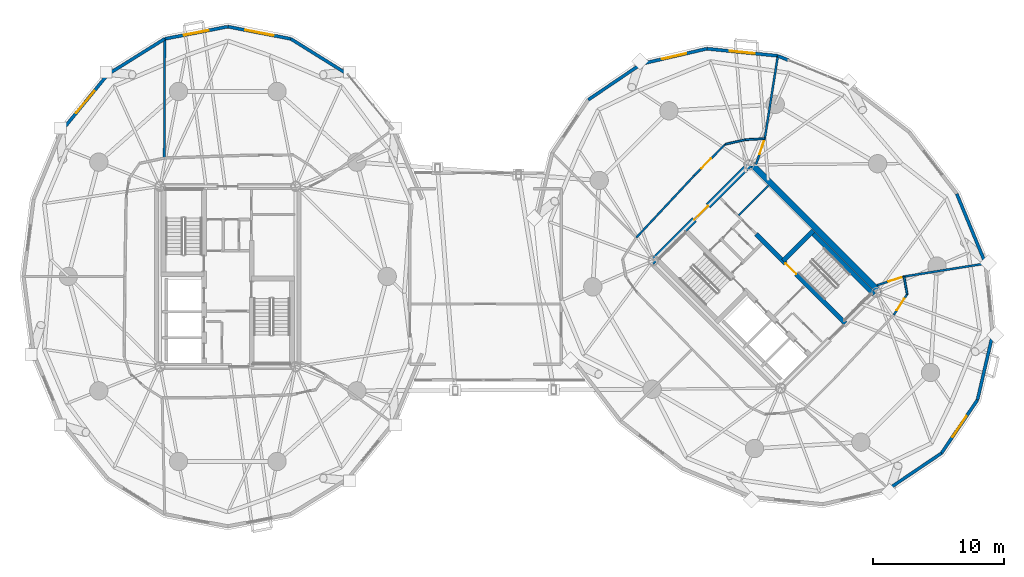
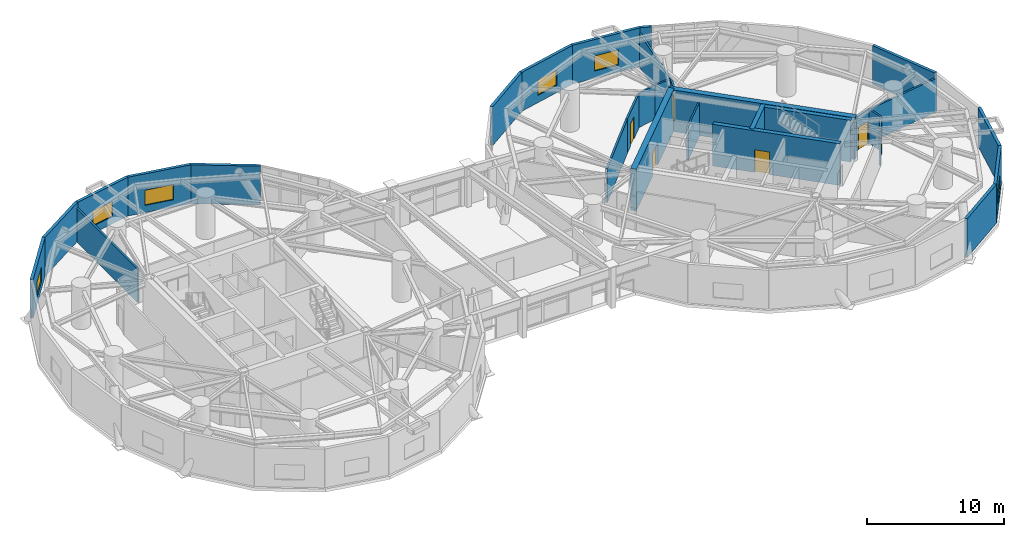
# One storey, part 17 of 20: 30 walls, 6 doors, 6 windows, 12 openings.
"""IFC4 building model written with IfcOpenShell, lengths in metres."""

from ifc_helpers import new_model, si_unit, direction, frame, frame_2d, origin, place, context, subcontext, project, spatial, rectangle, extrude, source, transform, mapped, material, layer, layer_set, type_object, element, fill, save


model = new_model("IFC4")

# Units and contexts
model_context = context("Model", 3, precision=1e-05, world=origin(), true_north=direction((0.0, 1.0)))
body_context = subcontext(model_context, "Body", "Model", "MODEL_VIEW")
ifc_project = project(units=[si_unit("LENGTHUNIT", "METRE"), si_unit("AREAUNIT", "SQUARE_METRE"), si_unit("VOLUMEUNIT", "CUBIC_METRE"), si_unit("PLANEANGLEUNIT", "RADIAN"), si_unit("MASSUNIT", "GRAM", prefix="KILO")], contexts=[model_context])

# Site, building, storey
site_placement = place(None, origin())
site = spatial("IfcSite", under=ifc_project, at=site_placement, CompositionType="ELEMENT")
building_placement = place(site_placement, origin())
building = spatial("IfcBuilding", under=site, at=building_placement, Name="Cununo Teusaquillo Station Towers", CompositionType="ELEMENT")
storey_placement = place(building_placement, frame((0.0, 0.0, 140.320068359375)))
storey = spatial("IfcBuildingStorey", under=building, at=storey_placement, Name="L44", CompositionType="ELEMENT", Elevation=140.320068359375)

# Wall, opening, door
ifc_material_1 = material(Name="Concrete C50/60", Category="concrete")
ifc_layer_1 = layer(ifc_material_1, 0.35009765625)
ifc_layer_set_1 = layer_set([ifc_layer_1], Name="Concrete C50/60")
wall_type_1 = type_object("IfcWallType", Name="WL-CORE-350", PredefinedType="SHEAR", material=ifc_layer_set_1)
wall_1_placement = place(storey_placement, frame((63.644775390625, 20.922119140625, 0.0), z_axis=(0.0, 0.0, 1.0), x_axis=(-0.70711946392, 0.707094098226, 0.0)))
wall_1 = element("IfcWall", 1, at=wall_1_placement, inside=storey, type_object=wall_type_1, Name="L44 Tower B Core Shear Wall IE", PredefinedType="SHEAR", context=body_context, shape_type="SweptSolid", body=[
    extrude(rectangle(XDim=9.624755859375, YDim=0.35009765625, at=frame_2d((4.8125, 0.0))), origin(), (0.0, 0.0, 1.0), 3.719970703125),
])
shared_shape_1 = source(origin(), body_context, "Body", "SweptSolid", [
    extrude(rectangle(XDim=1.14990234375, YDim=2.02001953125, at=frame_2d((0.574951171875, 1.010009765625))), frame((0.0, 0.18505859375, 0.0), z_axis=(0.0, -1.0, 0.0), x_axis=(1.0, 0.0, 0.0)), (0.0, 0.0, 1.0), 0.3701171875),
])
opening_1_placement = place(wall_1_placement, frame((5.304931640625, 0.0, 0.0)))
opening_1 = element("IfcOpeningElement", 2, at=opening_1_placement, cuts=wall_1, Name="Opening D-ST1", PredefinedType="OPENING", context=body_context, shape_type="MappedRepresentation", body=[
    mapped(shared_shape_1, transform((0.0, 0.0, 0.0), x_axis=(1.0, 0.0, 0.0), y_axis=(0.0, 1.0, 0.0), z_axis=(0.0, 0.0, 1.0), scale=1.0)),
])
ifc_material_2 = material(Name="Galvanised fire-rated hollow steel door assembly", Category="steel")
door_type_1 = type_object("IfcDoorType", Name="DR-STAIR-1150", OperationType="NOTDEFINED", PredefinedType="DOOR", material=ifc_material_2)
shared_shape_2 = source(origin(), body_context, "Body", "SweptSolid", [
    extrude(rectangle(XDim=1.14990234375, YDim=2.02001953125, at=frame_2d((0.574951171875, 1.010009765625))), frame((0.0, 0.02490234375, 0.0), z_axis=(0.0, -1.0, 0.0), x_axis=(1.0, 0.0, 0.0)), (0.0, 0.0, 1.0), 0.050048828125),
])
door_1_placement = place(opening_1_placement, origin())
door_1 = element("IfcDoor", 3, at=door_1_placement, inside=storey, type_object=door_type_1, Name="L44 Tower B Exit Stair 2 Fire Door", OperationType="SINGLE_SWING_RIGHT", OverallHeight=2.02001953125, OverallWidth=1.14990234375, PredefinedType="DOOR", context=body_context, shape_type="MappedRepresentation", body=[
    mapped(shared_shape_2, transform((0.0, 0.0, 0.0), x_axis=(1.0, 0.0, 0.0), y_axis=(0.0, 1.0, 0.0), z_axis=(0.0, 0.0, 1.0), scale=1.0)),
])
fill(opening_1, door_1)

# Walls
wall_2_placement = place(storey_placement, frame((65.82958984375, 23.10693359375, 0.0), z_axis=(0.0, 0.0, 1.0), x_axis=(-0.707088616009, 0.707124945897, 0.0)))
element("IfcWall", 4, at=wall_2_placement, inside=storey, type_object=wall_type_1, Name="L44 Tower B Core Shear Wall ST2E", PredefinedType="SHEAR", context=body_context, shape_type="SweptSolid", body=[
    extrude(rectangle(XDim=6.72021484375, YDim=0.35009765625, at=frame_2d((3.360107421875, 0.0))), origin(), (0.0, 0.0, 1.0), 3.719970703125),
])
wall_3_placement = place(storey_placement, frame((58.89306640625, 25.673828125, 0.0), z_axis=(0.0, 0.0, 1.0), x_axis=(0.707106781187, 0.707106781187, 0.0)))
element("IfcWall", 5, at=wall_3_placement, inside=storey, type_object=wall_type_1, Name="L44 Tower B Core Shear Wall ST2N", PredefinedType="SHEAR", context=body_context, shape_type="SweptSolid", body=[
    extrude(rectangle(XDim=3.284912109375, YDim=0.35009765625, at=frame_2d((1.642578125, 0.0))), origin(), (0.0, 0.0, 1.0), 3.719970703125),
])
ifc_material_3 = material(Name="Concrete C60/75", Category="concrete")
ifc_layer_2 = layer(ifc_material_3, 0.449951171875)
ifc_layer_set_2 = layer_set([ifc_layer_2], Name="Concrete C60/75")
wall_type_2 = type_object("IfcWallType", Name="WL-CORE-450", PredefinedType="SHEAR", material=ifc_layer_set_2)
wall_4_placement = place(storey_placement, frame((66.303466796875, 23.2626953125, 0.0), z_axis=(0.0, 0.0, 1.0), x_axis=(-0.707106781187, 0.707106781187, 0.0)))
element("IfcWall", 6, at=wall_4_placement, inside=storey, type_object=wall_type_2, Name="L44 Tower B Core Shear Wall E", PredefinedType="SHEAR", context=body_context, shape_type="SweptSolid", body=[
    extrude(rectangle(XDim=14.19970703125, YDim=0.449951171875, at=frame_2d((7.099853515625, 0.0))), origin(), (0.0, 0.0, 1.0), 3.719970703125),
])

# Wall, opening, door
wall_5_placement = place(storey_placement, frame((48.855712890625, 25.578369140625, 0.0), z_axis=(0.0, 0.0, 1.0), x_axis=(0.707106781187, 0.707106781187, 0.0)))
wall_5 = element("IfcWall", 7, at=wall_5_placement, inside=storey, type_object=wall_type_2, Name="L44 Tower B Core Shear Wall N", PredefinedType="SHEAR", context=body_context, shape_type="SweptSolid", body=[
    extrude(rectangle(XDim=10.69970703125, YDim=0.449951171875, at=frame_2d((5.349853515625, 0.0))), origin(), (0.0, 0.0, 1.0), 3.719970703125),
])
shared_shape_3 = source(origin(), body_context, "Body", "SweptSolid", [
    extrude(rectangle(XDim=1.5, YDim=2.02001953125, at=frame_2d((0.75, 1.010009765625))), frame((0.0, 0.23486328125, 0.0), z_axis=(0.0, -1.0, 0.0), x_axis=(1.0, 0.0, 0.0)), (0.0, 0.0, 1.0), 0.469970703125),
])
opening_2_placement = place(wall_5_placement, frame((4.60009765625, 0.0, 0.0)))
opening_2 = element("IfcOpeningElement", 8, at=opening_2_placement, cuts=wall_5, Name="Opening D-LB1", PredefinedType="OPENING", context=body_context, shape_type="MappedRepresentation", body=[
    mapped(shared_shape_3, transform((0.0, 0.0, 0.0), x_axis=(1.0, 0.0, 0.0), y_axis=(0.0, 1.0, 0.0), z_axis=(0.0, 0.0, 1.0), scale=1.0)),
])
ifc_material_4 = material(Name="Galvanised fire-rated hollow steel door assembly", Category="steel")
door_type_2 = type_object("IfcDoorType", Name="DR-LOBBY-1500", OperationType="DOUBLE_DOOR_SINGLE_SWING", PredefinedType="DOOR", material=ifc_material_4)
shared_shape_4 = source(origin(), body_context, "Body", "SweptSolid", [
    extrude(rectangle(XDim=1.5, YDim=2.02001953125, at=frame_2d((0.75, 1.010009765625))), frame((0.0, 0.02490234375, 0.0), z_axis=(0.0, -1.0, 0.0), x_axis=(1.0, 0.0, 0.0)), (0.0, 0.0, 1.0), 0.050048828125),
])
door_2_placement = place(opening_2_placement, origin())
door_2 = element("IfcDoor", 9, at=door_2_placement, inside=storey, type_object=door_type_2, Name="L44 Tower B North Core Lift Lobby Door", OperationType="DOUBLE_DOOR_SINGLE_SWING", OverallHeight=2.02001953125, OverallWidth=1.5, PredefinedType="DOOR", context=body_context, shape_type="MappedRepresentation", body=[
    mapped(shared_shape_4, transform((0.0, 0.0, 0.0), x_axis=(1.0, 0.0, 0.0), y_axis=(0.0, 1.0, 0.0), z_axis=(0.0, 0.0, 1.0), scale=1.0)),
])
fill(opening_2, door_2)

# Wall
ifc_material_5 = material(Name="Precast concrete C40/50", Category="concrete")
ifc_layer_3 = layer(ifc_material_5, 0.239990234375)
ifc_layer_set_3 = layer_set([ifc_layer_3], Name="Precast concrete C40/50")
wall_type_3 = type_object("IfcWallType", Name="WL-EXT-240", PredefinedType="SOLIDWALL", material=ifc_layer_set_3)
wall_6_placement = place(storey_placement, frame((21.314697265625, 42.63671875, 0.0), z_axis=(0.0, 0.0, 1.0), x_axis=(0.848520380187, -0.529162701263, 0.0)))
element("IfcWall", 10, at=wall_6_placement, inside=storey, type_object=wall_type_3, Name="L44 Tower A Exterior Facade Wall C03", PredefinedType="SOLIDWALL", context=body_context, shape_type="SweptSolid", body=[
    extrude(rectangle(XDim=5.118896484375, YDim=0.239990234375, at=frame_2d((2.5595703125, 0.0))), origin(), (0.0, 0.0, 1.0), 3.46484375),
])

# Wall, opening, window
wall_7_placement = place(storey_placement, frame((16.5, 43.570068359375, 0.0), z_axis=(0.0, 0.0, 1.0), x_axis=(0.981723785992, -0.190311344954, 0.0)))
wall_7 = element("IfcWall", 11, at=wall_7_placement, inside=storey, type_object=wall_type_3, Name="L44 Tower A Exterior Facade Wall C04", PredefinedType="SOLIDWALL", context=body_context, shape_type="SweptSolid", body=[
    extrude(rectangle(XDim=4.904296875, YDim=0.239990234375, at=frame_2d((2.4521484375, 0.0))), origin(), (0.0, 0.0, 1.0), 3.46484375),
])
shared_shape_5 = source(origin(), body_context, "Body", "SweptSolid", [
    extrude(rectangle(XDim=2.199951171875, YDim=1.35009765625, at=frame_2d((1.10009765625, 0.675048828125))), frame((0.0, 0.1298828125, 0.0), z_axis=(0.0, -1.0, 0.0), x_axis=(1.0, 0.0, 0.0)), (0.0, 0.0, 1.0), 0.260009765625),
])
opening_3_placement = place(wall_7_placement, frame((1.35205078125, 0.0, 0.64990234375)))
opening_3 = element("IfcOpeningElement", 12, at=opening_3_placement, cuts=wall_7, Name="Opening WN-01", PredefinedType="OPENING", context=body_context, shape_type="MappedRepresentation", body=[
    mapped(shared_shape_5, transform((0.0, 0.0, 0.0), x_axis=(1.0, 0.0, 0.0), y_axis=(0.0, 1.0, 0.0), z_axis=(0.0, 0.0, 1.0), scale=1.0)),
])
ifc_material_6 = material(Name="Ceramic-fritted dark low-E double glazing", Category="glass")
window_type_1 = type_object("IfcWindowType", Name="WIN-FRIT-2200", PartitioningType="DOUBLE_PANEL_VERTICAL", PredefinedType="WINDOW", material=ifc_material_6)
shared_shape_6 = source(origin(), body_context, "Body", "SweptSolid", [
    extrude(rectangle(XDim=2.199951171875, YDim=1.35009765625, at=frame_2d((1.10009765625, 0.675048828125))), frame((0.0, 0.030029296875, 0.0), z_axis=(0.0, -1.0, 0.0), x_axis=(1.0, 0.0, 0.0)), (0.0, 0.0, 1.0), 0.06005859375),
])
window_1_placement = place(opening_3_placement, origin())
window_1 = element("IfcWindow", 13, at=window_1_placement, inside=storey, type_object=window_type_1, Name="L44 Tower A Facade Window C04", OverallHeight=1.35009765625, OverallWidth=2.199951171875, PartitioningType="DOUBLE_PANEL_VERTICAL", PredefinedType="WINDOW", context=body_context, shape_type="MappedRepresentation", body=[
    mapped(shared_shape_6, transform((0.0, 0.0, 0.0), x_axis=(1.0, 0.0, 0.0), y_axis=(0.0, 1.0, 0.0), z_axis=(0.0, 0.0, 1.0), scale=1.0)),
])
fill(opening_3, window_1)

wall_8_placement = place(storey_placement, frame((11.685302734375, 42.63671875, 0.0), z_axis=(0.0, 0.0, 1.0), x_axis=(0.981723785992, 0.190311344954, 0.0)))
wall_8 = element("IfcWall", 14, at=wall_8_placement, inside=storey, type_object=wall_type_3, Name="L44 Tower A Exterior Facade Wall C05", PredefinedType="SOLIDWALL", context=body_context, shape_type="SweptSolid", body=[
    extrude(rectangle(XDim=4.904296875, YDim=0.239990234375, at=frame_2d((2.4521484375, 0.0))), origin(), (0.0, 0.0, 1.0), 3.46484375),
])
shared_shape_7 = source(origin(), body_context, "Body", "SweptSolid", [
    extrude(rectangle(XDim=1.89990234375, YDim=1.35009765625, at=frame_2d((0.949951171875, 0.675048828125))), frame((0.0, 0.1298828125, 0.0), z_axis=(0.0, -1.0, 0.0), x_axis=(1.0, 0.0, 0.0)), (0.0, 0.0, 1.0), 0.260009765625),
])
opening_4_placement = place(wall_8_placement, frame((1.501953125, 0.0, 0.64990234375)))
opening_4 = element("IfcOpeningElement", 15, at=opening_4_placement, cuts=wall_8, Name="Opening WN-02", PredefinedType="OPENING", context=body_context, shape_type="MappedRepresentation", body=[
    mapped(shared_shape_7, transform((0.0, 0.0, 0.0), x_axis=(1.0, 0.0, 0.0), y_axis=(0.0, 1.0, 0.0), z_axis=(0.0, 0.0, 1.0), scale=1.0)),
])
ifc_material_7 = material(Name="Operable acoustic tinted low-E double glazing", Category="glass")
window_type_2 = type_object("IfcWindowType", Name="WIN-OPER-1900", PartitioningType="DOUBLE_PANEL_VERTICAL", PredefinedType="WINDOW", material=ifc_material_7)
shared_shape_8 = source(origin(), body_context, "Body", "SweptSolid", [
    extrude(rectangle(XDim=1.89990234375, YDim=1.35009765625, at=frame_2d((0.949951171875, 0.675048828125))), frame((0.0, 0.030029296875, 0.0), z_axis=(0.0, -1.0, 0.0), x_axis=(1.0, 0.0, 0.0)), (0.0, 0.0, 1.0), 0.06005859375),
])
window_2_placement = place(opening_4_placement, origin())
window_2 = element("IfcWindow", 16, at=window_2_placement, inside=storey, type_object=window_type_2, Name="L44 Tower A Facade Window C05", OverallHeight=1.35009765625, OverallWidth=1.89990234375, PartitioningType="DOUBLE_PANEL_VERTICAL", PredefinedType="WINDOW", context=body_context, shape_type="MappedRepresentation", body=[
    mapped(shared_shape_8, transform((0.0, 0.0, 0.0), x_axis=(1.0, 0.0, 0.0), y_axis=(0.0, 1.0, 0.0), z_axis=(0.0, 0.0, 1.0), scale=1.0)),
])
fill(opening_4, window_2)

# Wall
wall_9_placement = place(storey_placement, frame((7.341796875, 39.927978515625, 0.0), z_axis=(0.0, 0.0, 1.0), x_axis=(0.848520380187, 0.529162701263, 0.0)))
element("IfcWall", 17, at=wall_9_placement, inside=storey, type_object=wall_type_3, Name="L44 Tower A Exterior Facade Wall C06", PredefinedType="SOLIDWALL", context=body_context, shape_type="SweptSolid", body=[
    extrude(rectangle(XDim=5.118896484375, YDim=0.239990234375, at=frame_2d((2.5595703125, 0.0))), origin(), (0.0, 0.0, 1.0), 3.46484375),
])

# Wall, opening, window
wall_10_placement = place(storey_placement, frame((3.894775390625, 35.708984375, 0.0), z_axis=(0.0, 0.0, 1.0), x_axis=(0.632700781152, 0.77439635945, 0.0)))
wall_10 = element("IfcWall", 18, at=wall_10_placement, inside=storey, type_object=wall_type_3, Name="L44 Tower A Exterior Facade Wall C07", PredefinedType="SOLIDWALL", context=body_context, shape_type="SweptSolid", body=[
    extrude(rectangle(XDim=5.447998046875, YDim=0.239990234375, at=frame_2d((2.72412109375, 0.0))), origin(), (0.0, 0.0, 1.0), 3.46484375),
])
opening_5_placement = place(wall_10_placement, frame((1.6240234375, 0.0, 0.64990234375)))
opening_5 = element("IfcOpeningElement", 19, at=opening_5_placement, cuts=wall_10, Name="Opening WN-01", PredefinedType="OPENING", context=body_context, shape_type="MappedRepresentation", body=[
    mapped(shared_shape_5, transform((0.0, 0.0, 0.0), x_axis=(1.0, 0.0, 0.0), y_axis=(0.0, 1.0, 0.0), z_axis=(0.0, 0.0, 1.0), scale=1.0)),
])
window_3_placement = place(opening_5_placement, origin())
window_3 = element("IfcWindow", 20, at=window_3_placement, inside=storey, type_object=window_type_1, Name="L44 Tower A Facade Window C07", OverallHeight=1.35009765625, OverallWidth=2.199951171875, PartitioningType="DOUBLE_PANEL_VERTICAL", PredefinedType="WINDOW", context=body_context, shape_type="MappedRepresentation", body=[
    mapped(shared_shape_6, transform((0.0, 0.0, 0.0), x_axis=(1.0, 0.0, 0.0), y_axis=(0.0, 1.0, 0.0), z_axis=(0.0, 0.0, 1.0), scale=1.0)),
])
fill(opening_5, window_3)

# Wall
wall_11_placement = place(storey_placement, frame((58.4873046875, 41.33935546875, 0.0), z_axis=(0.0, 0.0, 1.0), x_axis=(0.924556017656, -0.381046152345, 0.0)))
element("IfcWall", 21, at=wall_11_placement, inside=storey, type_object=wall_type_3, Name="L44 Tower B Column Pier Cladding Wall C01-PA", PredefinedType="SOLIDWALL", context=body_context, shape_type="SweptSolid", body=[
    extrude(rectangle(XDim=0.8701171875, YDim=0.239990234375, at=frame_2d((0.43505859375, 0.0))), origin(), (0.0, 0.0, 1.0), 3.46484375),
])

# Wall, opening, window
wall_12_placement = place(storey_placement, frame((53.066650390625, 41.885009765625, 0.0), z_axis=(0.0, 0.0, 1.0), x_axis=(0.994971754311, -0.10015591906, 0.0)))
wall_12 = element("IfcWall", 22, at=wall_12_placement, inside=storey, type_object=wall_type_3, Name="L44 Tower B Exterior Facade Wall C02", PredefinedType="SOLIDWALL", context=body_context, shape_type="SweptSolid", body=[
    extrude(rectangle(XDim=5.447998046875, YDim=0.239990234375, at=frame_2d((2.72412109375, 0.0))), origin(), (0.0, 0.0, 1.0), 3.46484375),
])
opening_6_placement = place(wall_12_placement, frame((1.77392578125, 0.0, 0.64990234375)))
opening_6 = element("IfcOpeningElement", 23, at=opening_6_placement, cuts=wall_12, Name="Opening WN-02", PredefinedType="OPENING", context=body_context, shape_type="MappedRepresentation", body=[
    mapped(shared_shape_7, transform((0.0, 0.0, 0.0), x_axis=(1.0, 0.0, 0.0), y_axis=(0.0, 1.0, 0.0), z_axis=(0.0, 0.0, 1.0), scale=1.0)),
])
window_4_placement = place(opening_6_placement, origin())
window_4 = element("IfcWindow", 24, at=window_4_placement, inside=storey, type_object=window_type_2, Name="L44 Tower B Facade Window C02", OverallHeight=1.35009765625, OverallWidth=1.89990234375, PartitioningType="DOUBLE_PANEL_VERTICAL", PredefinedType="WINDOW", context=body_context, shape_type="MappedRepresentation", body=[
    mapped(shared_shape_8, transform((0.0, 0.0, 0.0), x_axis=(1.0, 0.0, 0.0), y_axis=(0.0, 1.0, 0.0), z_axis=(0.0, 0.0, 1.0), scale=1.0)),
])
fill(opening_6, window_4)

wall_13_placement = place(storey_placement, frame((48.080078125, 40.72900390625, 0.0), z_axis=(0.0, 0.0, 1.0), x_axis=(0.974165631126, 0.225834725257, 0.0)))
wall_13 = element("IfcWall", 25, at=wall_13_placement, inside=storey, type_object=wall_type_3, Name="L44 Tower B Exterior Facade Wall C03", PredefinedType="SOLIDWALL", context=body_context, shape_type="SweptSolid", body=[
    extrude(rectangle(XDim=5.118896484375, YDim=0.239990234375, at=frame_2d((2.5595703125, 0.0))), origin(), (0.0, 0.0, 1.0), 3.46484375),
])
opening_7_placement = place(wall_13_placement, frame((1.60888671875, 0.0, 0.64990234375)))
opening_7 = element("IfcOpeningElement", 26, at=opening_7_placement, cuts=wall_13, Name="Opening WN-02", PredefinedType="OPENING", context=body_context, shape_type="MappedRepresentation", body=[
    mapped(shared_shape_7, transform((0.0, 0.0, 0.0), x_axis=(1.0, 0.0, 0.0), y_axis=(0.0, 1.0, 0.0), z_axis=(0.0, 0.0, 1.0), scale=1.0)),
])
window_5_placement = place(opening_7_placement, origin())
window_5 = element("IfcWindow", 27, at=window_5_placement, inside=storey, type_object=window_type_2, Name="L44 Tower B Facade Window C03", OverallHeight=1.35009765625, OverallWidth=1.89990234375, PartitioningType="DOUBLE_PANEL_VERTICAL", PredefinedType="WINDOW", context=body_context, shape_type="MappedRepresentation", body=[
    mapped(shared_shape_8, transform((0.0, 0.0, 0.0), x_axis=(1.0, 0.0, 0.0), y_axis=(0.0, 1.0, 0.0), z_axis=(0.0, 0.0, 1.0), scale=1.0)),
])
fill(opening_7, window_5)

# Walls
for number, where, z_axis, x_axis, name in (
    (28, (44.015380859375, 37.984619140625, 0.0), (0.0, 0.0, 1.0), (0.828781148131, 0.559572880421, 0.0), "L44 Tower B Exterior Facade Wall C04"),
    (29, (70.984619140625, 11.015380859375, 0.0), (0.0, 0.0, 1.0), (-0.828781148131, -0.559572880421, 0.0), "L44 Tower B Exterior Facade Wall C14"),
):
    element("IfcWall", number, at=place(storey_placement, frame(where, z_axis=z_axis, x_axis=x_axis)), inside=storey, type_object=wall_type_3, Name=name, PredefinedType="SOLIDWALL", context=body_context, shape_type="SweptSolid", body=[
        extrude(rectangle(XDim=4.904541015625, YDim=0.239990234375, at=frame_2d((2.4521484375, 0.0))), origin(), (0.0, 0.0, 1.0), 3.46484375),
    ])

# Wall, opening, window
wall_14_placement = place(storey_placement, frame((73.72900390625, 15.080078125, 0.0), z_axis=(0.0, 0.0, 1.0), x_axis=(-0.559572880421, -0.828781148131, 0.0)))
wall_14 = element("IfcWall", 30, at=wall_14_placement, inside=storey, type_object=wall_type_3, Name="L44 Tower B Exterior Facade Wall C15", PredefinedType="SOLIDWALL", context=body_context, shape_type="SweptSolid", body=[
    extrude(rectangle(XDim=4.904541015625, YDim=0.239990234375, at=frame_2d((2.4521484375, 0.0))), origin(), (0.0, 0.0, 1.0), 3.46484375),
])
opening_8_placement = place(wall_14_placement, frame((1.501953125, 0.0, 0.64990234375)))
opening_8 = element("IfcOpeningElement", 31, at=opening_8_placement, cuts=wall_14, Name="Opening WN-02", PredefinedType="OPENING", context=body_context, shape_type="MappedRepresentation", body=[
    mapped(shared_shape_7, transform((0.0, 0.0, 0.0), x_axis=(1.0, 0.0, 0.0), y_axis=(0.0, 1.0, 0.0), z_axis=(0.0, 0.0, 1.0), scale=1.0)),
])
window_6_placement = place(opening_8_placement, origin())
window_6 = element("IfcWindow", 32, at=window_6_placement, inside=storey, type_object=window_type_2, Name="L44 Tower B Facade Window C15", OverallHeight=1.35009765625, OverallWidth=1.89990234375, PartitioningType="DOUBLE_PANEL_VERTICAL", PredefinedType="WINDOW", context=body_context, shape_type="MappedRepresentation", body=[
    mapped(shared_shape_8, transform((0.0, 0.0, 0.0), x_axis=(1.0, 0.0, 0.0), y_axis=(0.0, 1.0, 0.0), z_axis=(0.0, 0.0, 1.0), scale=1.0)),
])
fill(opening_8, window_6)

# Walls
wall_15_placement = place(storey_placement, frame((74.885009765625, 20.066650390625, 0.0), z_axis=(0.0, 0.0, 1.0), x_axis=(-0.225834725257, -0.974165631126, 0.0)))
element("IfcWall", 33, at=wall_15_placement, inside=storey, type_object=wall_type_3, Name="L44 Tower B Exterior Facade Wall C16", PredefinedType="SOLIDWALL", context=body_context, shape_type="SweptSolid", body=[
    extrude(rectangle(XDim=5.118896484375, YDim=0.239990234375, at=frame_2d((2.5595703125, 0.0))), origin(), (0.0, 0.0, 1.0), 3.46484375),
])
wall_16_placement = place(storey_placement, frame((72.145263671875, 30.811279296875, 0.0), z_axis=(0.0, 0.0, 1.0), x_axis=(0.381027003055, -0.924563909604, 0.0)))
element("IfcWall", 34, at=wall_16_placement, inside=storey, type_object=wall_type_3, Name="L44 Tower B Exterior Facade Wall C18", PredefinedType="SOLIDWALL", context=body_context, shape_type="SweptSolid", body=[
    extrude(rectangle(XDim=5.75830078125, YDim=0.239990234375, at=frame_2d((2.879150390625, 0.0))), origin(), (0.0, 0.0, 1.0), 3.46484375),
])
ifc_material_8 = material(Name="Fire-rated gypsum plasterboard partition assembly", Category="gypsum")
ifc_layer_4 = layer(ifc_material_8, 0.125)
ifc_layer_set_4 = layer_set([ifc_layer_4], Name="Fire-rated gypsum plasterboard partition assembly")
wall_type_4 = type_object("IfcWallType", Name="WL-PART-125", PredefinedType="PARTITIONING", material=ifc_layer_set_4)
wall_17_placement = place(storey_placement, frame((55.49169921875, 29.1669921875, 0.0), z_axis=(0.0, 0.0, 1.0), x_axis=(0.707144688645, 0.707068871696, 0.0)))
element("IfcWall", 35, at=wall_17_placement, inside=storey, type_object=wall_type_4, Name="L44 Tower B Reclaimed Bay Divider Wall", PredefinedType="PARTITIONING", context=body_context, shape_type="SweptSolid", body=[
    extrude(rectangle(XDim=3.22021484375, YDim=0.125, at=frame_2d((1.610107421875, 0.0))), origin(), (0.0, 0.0, 1.0), 3.001953125),
])
ifc_material_9 = material(Name="Fire-rated gypsum plasterboard partition assembly", Category="gypsum")
ifc_layer_5 = layer(ifc_material_9, 0.14990234375)
ifc_layer_set_5 = layer_set([ifc_layer_5], Name="Fire-rated gypsum plasterboard partition assembly")
wall_type_5 = type_object("IfcWallType", Name="WL-PART-150", PredefinedType="PARTITIONING", material=ifc_layer_set_5)
wall_18_placement = place(storey_placement, frame((57.49072265625, 35.021484375, 0.0), z_axis=(0.0, 0.0, 1.0), x_axis=(-0.9985194771, -0.054395347698, 0.0)))
element("IfcWall", 36, at=wall_18_placement, inside=storey, type_object=wall_type_5, Name="L44 Tower B Corridor Ring Wall C02", PredefinedType="PARTITIONING", context=body_context, shape_type="SweptSolid", body=[
    extrude(rectangle(XDim=1.47216796875, YDim=0.14990234375, at=frame_2d((0.736083984375, 0.0))), origin(), (0.0, 0.0, 1.0), 3.034912109375),
])
wall_19_placement = place(storey_placement, frame((56.020751953125, 34.94140625, 0.0), z_axis=(0.0, 0.0, 1.0), x_axis=(-0.975309543901, -0.220842236847, 0.0)))
element("IfcWall", 37, at=wall_19_placement, inside=storey, type_object=wall_type_5, Name="L44 Tower B Corridor Ring Wall C03", PredefinedType="PARTITIONING", context=body_context, shape_type="SweptSolid", body=[
    extrude(rectangle(XDim=1.585205078125, YDim=0.14990234375, at=frame_2d((0.79248046875, 0.0))), origin(), (0.0, 0.0, 1.0), 3.034912109375),
])

# Wall, opening, door
wall_20_placement = place(storey_placement, frame((54.474609375, 34.59130859375, 0.0), z_axis=(0.0, 0.0, 1.0), x_axis=(-0.703869646439, -0.710329163714, 0.0)))
wall_20 = element("IfcWall", 38, at=wall_20_placement, inside=storey, type_object=wall_type_5, Name="L44 Tower B Corridor Ring Wall C04", PredefinedType="PARTITIONING", context=body_context, shape_type="SweptSolid", body=[
    extrude(rectangle(XDim=3.36376953125, YDim=0.14990234375, at=frame_2d((1.681884765625, 0.0))), origin(), (0.0, 0.0, 1.0), 3.034912109375),
])
shared_shape_9 = source(origin(), body_context, "Body", "SweptSolid", [
    extrude(rectangle(XDim=1.050048828125, YDim=2.014892578125, at=frame_2d((0.52490234375, 1.00732421875))), frame((0.0, 0.0849609375, 0.0), z_axis=(0.0, -1.0, 0.0), x_axis=(1.0, 0.0, 0.0)), (0.0, 0.0, 1.0), 0.169921875),
])
opening_9_placement = place(wall_20_placement, frame((1.545654296875, 0.0, 0.0)))
opening_9 = element("IfcOpeningElement", 39, at=opening_9_placement, cuts=wall_20, Name="Opening D-SU1", PredefinedType="OPENING", context=body_context, shape_type="MappedRepresentation", body=[
    mapped(shared_shape_9, transform((0.0, 0.0, 0.0), x_axis=(1.0, 0.0, 0.0), y_axis=(0.0, 1.0, 0.0), z_axis=(0.0, 0.0, 1.0), scale=1.0)),
])
ifc_material_10 = material(Name="Acoustic solid-core hardwood leaf assembly", Category="wood")
door_type_3 = type_object("IfcDoorType", Name="DR-SUITE-1050", OperationType="NOTDEFINED", PredefinedType="DOOR", material=ifc_material_10)
shared_shape_10 = source(origin(), body_context, "Body", "SweptSolid", [
    extrude(rectangle(XDim=1.050048828125, YDim=2.014892578125, at=frame_2d((0.52490234375, 1.00732421875))), frame((0.0, 0.02490234375, 0.0), z_axis=(0.0, -1.0, 0.0), x_axis=(1.0, 0.0, 0.0)), (0.0, 0.0, 1.0), 0.050048828125),
])
door_3_placement = place(opening_9_placement, origin())
door_3 = element("IfcDoor", 40, at=door_3_placement, inside=storey, type_object=door_type_3, Name="L44 Tower B Panoramic Conservatory Dining Hall Entrance Door", OperationType="SINGLE_SWING_RIGHT", OverallHeight=2.014892578125, OverallWidth=1.050048828125, PredefinedType="DOOR", context=body_context, shape_type="MappedRepresentation", body=[
    mapped(shared_shape_10, transform((0.0, 0.0, 0.0), x_axis=(1.0, 0.0, 0.0), y_axis=(0.0, 1.0, 0.0), z_axis=(0.0, 0.0, 1.0), scale=1.0)),
])
fill(opening_9, door_3)

# Wall
wall_21_placement = place(storey_placement, frame((52.10693359375, 32.201904296875, 0.0), z_axis=(0.0, 0.0, 1.0), x_axis=(-0.682605209028, -0.730787334734, 0.0)))
element("IfcWall", 41, at=wall_21_placement, inside=storey, type_object=wall_type_5, Name="L44 Tower B Corridor Ring Wall C05", PredefinedType="PARTITIONING", context=body_context, shape_type="SweptSolid", body=[
    extrude(rectangle(XDim=6.48583984375, YDim=0.14990234375, at=frame_2d((3.242919921875, 0.0))), origin(), (0.0, 0.0, 1.0), 3.034912109375),
])

# Wall, opening, door
wall_22_placement = place(storey_placement, frame((67.34326171875, 21.5693359375, 0.0), z_axis=(0.0, 0.0, 1.0), x_axis=(0.542722446786, 0.83991210597, 0.0)))
wall_22 = element("IfcWall", 42, at=wall_22_placement, inside=storey, type_object=wall_type_5, Name="L44 Tower B Corridor Ring Wall C16", PredefinedType="PARTITIONING", context=body_context, shape_type="SweptSolid", body=[
    extrude(rectangle(XDim=1.876220703125, YDim=0.14990234375, at=frame_2d((0.93798828125, 0.0))), origin(), (0.0, 0.0, 1.0), 3.034912109375),
])
opening_10_placement = place(wall_22_placement, frame((0.4130859375, 0.0, 0.0)))
opening_10 = element("IfcOpeningElement", 43, at=opening_10_placement, cuts=wall_22, Name="Opening D-SU1", PredefinedType="OPENING", context=body_context, shape_type="MappedRepresentation", body=[
    mapped(shared_shape_9, transform((0.0, 0.0, 0.0), x_axis=(1.0, 0.0, 0.0), y_axis=(0.0, 1.0, 0.0), z_axis=(0.0, 0.0, 1.0), scale=1.0)),
])
door_4_placement = place(opening_10_placement, origin())
door_4 = element("IfcDoor", 44, at=door_4_placement, inside=storey, type_object=door_type_3, Name="L44 Tower B Executive Sky-Bridge Club Lounge Entrance Door", OperationType="SINGLE_SWING_LEFT", OverallHeight=2.014892578125, OverallWidth=1.050048828125, PredefinedType="DOOR", context=body_context, shape_type="MappedRepresentation", body=[
    mapped(shared_shape_10, transform((0.0, 0.0, 0.0), x_axis=(1.0, 0.0, 0.0), y_axis=(0.0, 1.0, 0.0), z_axis=(0.0, 0.0, 1.0), scale=1.0)),
])
fill(opening_10, door_4)

# Walls
wall_23_placement = place(storey_placement, frame((68.361572265625, 23.145263671875, 0.0), z_axis=(0.0, 0.0, 1.0), x_axis=(-0.175605524171, 0.984460613677, 0.0)))
element("IfcWall", 45, at=wall_23_placement, inside=storey, type_object=wall_type_5, Name="L44 Tower B Corridor Ring Wall C17", PredefinedType="PARTITIONING", context=body_context, shape_type="SweptSolid", body=[
    extrude(rectangle(XDim=1.369384765625, YDim=0.14990234375, at=frame_2d((0.6845703125, 0.0))), origin(), (0.0, 0.0, 1.0), 3.034912109375),
])
ifc_material_11 = material(Name="Fire-rated gypsum plasterboard partition assembly", Category="gypsum")
ifc_layer_6 = layer(ifc_material_11, 0.159912109375)
ifc_layer_set_6 = layer_set([ifc_layer_6], Name="Fire-rated gypsum plasterboard partition assembly")
wall_type_6 = type_object("IfcWallType", Name="WL-PART-160", PredefinedType="PARTITIONING", material=ifc_layer_set_6)
wall_24_placement = place(storey_placement, frame((11.650390625, 33.53857421875, 0.0), z_axis=(0.0, 0.0, 1.0), x_axis=(0.00451754022, 0.999989795863, 0.0)))
element("IfcWall", 46, at=wall_24_placement, inside=storey, type_object=wall_type_6, Name="L44 Tower A Radial Suite Partition R02", PredefinedType="PARTITIONING", context=body_context, shape_type="SweptSolid", body=[
    extrude(rectangle(XDim=9.0791015625, YDim=0.159912109375, at=frame_2d((4.53955078125, 0.0))), origin(), (0.0, 0.0, 1.0), 2.989013671875),
])
wall_25_placement = place(storey_placement, frame((57.49072265625, 35.021484375, 0.0), z_axis=(0.0, 0.0, 1.0), x_axis=(0.155805268746, 0.98778779008, 0.0)))
element("IfcWall", 47, at=wall_25_placement, inside=storey, type_object=wall_type_6, Name="L44 Tower B Radial Suite Partition R01", PredefinedType="PARTITIONING", context=body_context, shape_type="SweptSolid", body=[
    extrude(rectangle(XDim=6.3759765625, YDim=0.159912109375, at=frame_2d((3.18798828125, 0.0))), origin(), (0.0, 0.0, 1.0), 2.989013671875),
])
wall_26_placement = place(storey_placement, frame((68.12109375, 24.493408203125, 0.0), z_axis=(0.0, 0.0, 1.0), x_axis=(0.987466345552, 0.15782970697, 0.0)))
element("IfcWall", 48, at=wall_26_placement, inside=storey, type_object=wall_type_6, Name="L44 Tower B Radial Suite Partition R05", PredefinedType="PARTITIONING", context=body_context, shape_type="SweptSolid", body=[
    extrude(rectangle(XDim=6.277099609375, YDim=0.159912109375, at=frame_2d((3.138671875, 0.0))), origin(), (0.0, 0.0, 1.0), 2.989013671875),
])

# Wall, opening, door
wall_27_placement = place(storey_placement, frame((56.828125, 33.055908203125, 0.0), z_axis=(0.0, 0.0, 1.0), x_axis=(0.319439175969, 0.94760678177, 0.0)))
wall_27 = element("IfcWall", 49, at=wall_27_placement, inside=storey, type_object=wall_type_6, Name="L44 Tower B East Salon Corridor Portal Wall NE", PredefinedType="PARTITIONING", context=body_context, shape_type="SweptSolid", body=[
    extrude(rectangle(XDim=2.07421875, YDim=0.159912109375, at=frame_2d((1.037109375, 0.0))), origin(), (0.0, 0.0, 1.0), 3.034912109375),
])
shared_shape_11 = source(origin(), body_context, "Body", "SweptSolid", [
    extrude(rectangle(XDim=1.050048828125, YDim=2.014892578125, at=frame_2d((0.52490234375, 1.00732421875))), frame((0.0, 0.08984375, 0.0), z_axis=(0.0, -1.0, 0.0), x_axis=(1.0, 0.0, 0.0)), (0.0, 0.0, 1.0), 0.179931640625),
])
opening_11_placement = place(wall_27_placement, frame((0.82421875, 0.0, 0.0)))
opening_11 = element("IfcOpeningElement", 50, at=opening_11_placement, cuts=wall_27, Name="Opening D-SU1", PredefinedType="OPENING", context=body_context, shape_type="MappedRepresentation", body=[
    mapped(shared_shape_11, transform((0.0, 0.0, 0.0), x_axis=(1.0, 0.0, 0.0), y_axis=(0.0, 1.0, 0.0), z_axis=(0.0, 0.0, 1.0), scale=1.0)),
])
door_5_placement = place(opening_11_placement, origin())
door_5 = element("IfcDoor", 51, at=door_5_placement, inside=storey, type_object=door_type_3, Name="L44 Tower B East Panorama Sky Salon Door NE", OperationType="SINGLE_SWING_RIGHT", OverallHeight=2.014892578125, OverallWidth=1.050048828125, PredefinedType="DOOR", context=body_context, shape_type="MappedRepresentation", body=[
    mapped(shared_shape_10, transform((0.0, 0.0, 0.0), x_axis=(1.0, 0.0, 0.0), y_axis=(0.0, 1.0, 0.0), z_axis=(0.0, 0.0, 1.0), scale=1.0)),
])
fill(opening_11, door_5)

wall_28_placement = place(storey_placement, frame((66.055908203125, 23.828125, 0.0), z_axis=(0.0, 0.0, 1.0), x_axis=(0.951830504244, 0.306624674792, 0.0)))
wall_28 = element("IfcWall", 52, at=wall_28_placement, inside=storey, type_object=wall_type_6, Name="L44 Tower B East Salon Corridor Portal Wall SE", PredefinedType="PARTITIONING", context=body_context, shape_type="SweptSolid", body=[
    extrude(rectangle(XDim=2.169677734375, YDim=0.159912109375, at=frame_2d((1.0849609375, 0.0))), origin(), (0.0, 0.0, 1.0), 3.034912109375),
])
opening_12_placement = place(wall_28_placement, frame((0.919677734375, 0.0, 0.0)))
opening_12 = element("IfcOpeningElement", 53, at=opening_12_placement, cuts=wall_28, Name="Opening D-SU1", PredefinedType="OPENING", context=body_context, shape_type="MappedRepresentation", body=[
    mapped(shared_shape_11, transform((0.0, 0.0, 0.0), x_axis=(1.0, 0.0, 0.0), y_axis=(0.0, 1.0, 0.0), z_axis=(0.0, 0.0, 1.0), scale=1.0)),
])
door_6_placement = place(opening_12_placement, origin())
door_6 = element("IfcDoor", 54, at=door_6_placement, inside=storey, type_object=door_type_3, Name="L44 Tower B East Panorama Sky Salon Door SE", OperationType="SINGLE_SWING_LEFT", OverallHeight=2.014892578125, OverallWidth=1.050048828125, PredefinedType="DOOR", context=body_context, shape_type="MappedRepresentation", body=[
    mapped(shared_shape_10, transform((0.0, 0.0, 0.0), x_axis=(1.0, 0.0, 0.0), y_axis=(0.0, 1.0, 0.0), z_axis=(0.0, 0.0, 1.0), scale=1.0)),
])
fill(opening_12, door_6)

save(model, "model.ifc")
